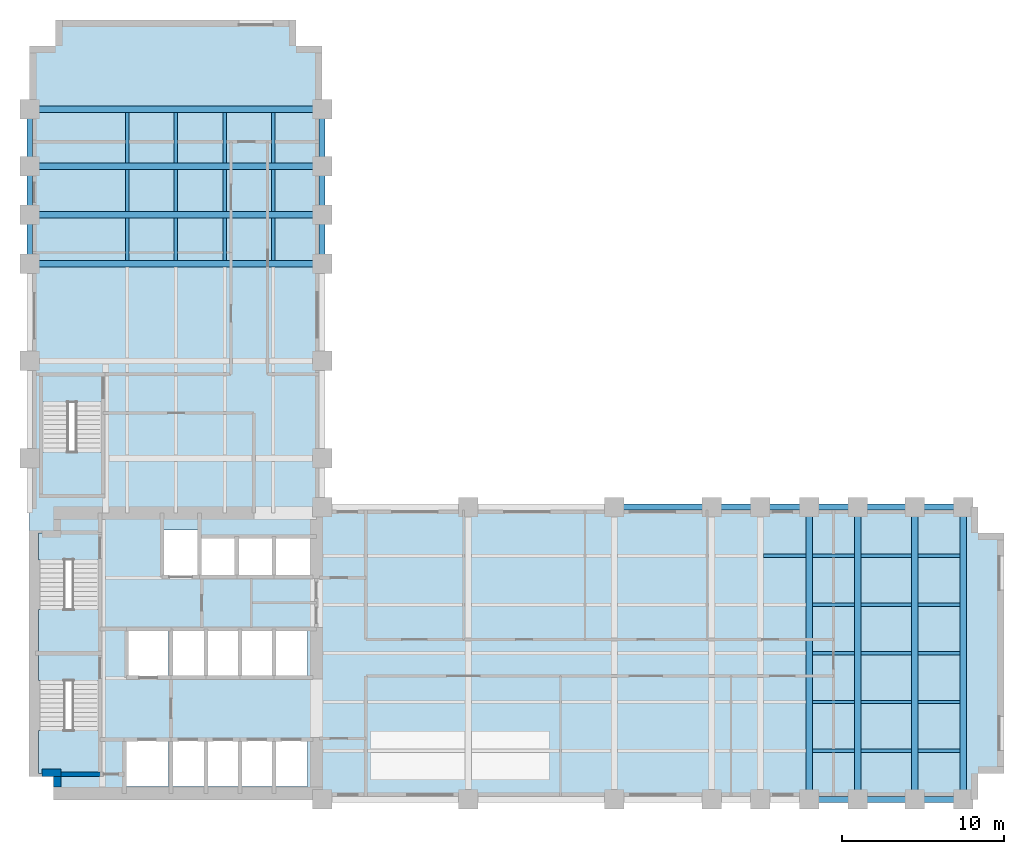
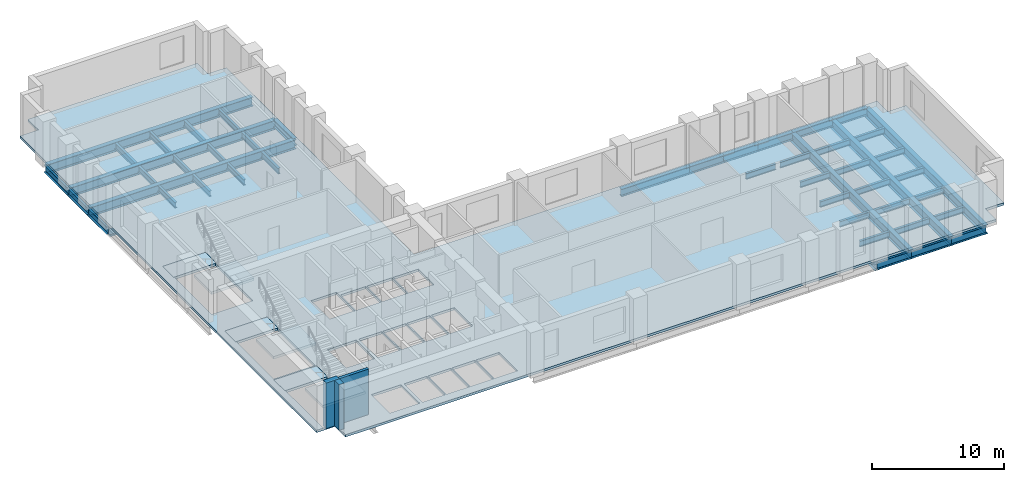
# One storey, part 2 of 7: 51 beams, 7 slabs, 3 walls, 3 elements without a shape of their own.
"""IFC4 building model written with IfcOpenShell, lengths in metres."""

import ifcopenshell
import ifcopenshell.guid

model = None  # the IFC model being written
_history = None  # IfcOwnerHistory: only IFC2X3 demands one
_inside = {}  # id of a spatial element -> (the spatial element, [elements in it])
_under = {}  # id of a project, library or spatial element -> (it, [spatial elements below it])
_declared = {}  # id of a project -> (the project, [libraries it declares])
_typed = {}  # id of a type object -> (the type object, [elements of that type])
_made_of = {}  # id of a material, layer set ... -> (it, [elements and type objects made of it])


def new_model(schema):
    """Start an empty IFC model of exactly this schema.

    Asked for "IFC4X3", IfcOpenShell would pick the latest addendum, in which some entities
    have other attributes; the version numbers below select the first issue.
    IFC2X3 requires an IfcOwnerHistory on every rooted entity: one is made here for all.
    """
    global model, _history
    if schema == "IFC4X3":
        model = ifcopenshell.file(schema_version=(4, 3, 0, 0))
    else:
        model = ifcopenshell.file(schema=schema)
    _inside.clear()
    _under.clear()
    _declared.clear()
    _typed.clear()
    _made_of.clear()
    _history = None
    if model.schema == "IFC2X3":
        org = make("IfcOrganization", Name="unknown")
        user = make(
            "IfcPersonAndOrganization",
            ThePerson=make("IfcPerson", FamilyName="unknown"),
            TheOrganization=org,
        )
        app = make(
            "IfcApplication",
            ApplicationDeveloper=org,
            Version="unknown",
            ApplicationFullName="unknown",
            ApplicationIdentifier="unknown",
        )
        _history = make(
            "IfcOwnerHistory",
            OwningUser=user,
            OwningApplication=app,
            ChangeAction="ADDED",
            CreationDate=0,
        )
    return model


def make(cls, **values):
    """One entity of the class cls with the attributes given. An attribute that is None is left unset."""
    return model.create_entity(
        cls, **{name: value for name, value in values.items() if value is not None}
    )


def rooted(cls, **values):
    """An entity with a GlobalId (a new one), such as an element, a storey or a relation."""
    return make(cls, GlobalId=ifcopenshell.guid.new(), OwnerHistory=_history, **values)


def si_unit(unit_type, name, prefix=None):
    """IfcSIUnit, for example si_unit("LENGTHUNIT", "METRE", prefix="MILLI")."""
    return make("IfcSIUnit", UnitType=unit_type, Prefix=prefix, Name=name)


def assignment(units):
    """IfcUnitAssignment: the units of a project."""
    return None if units is None else make("IfcUnitAssignment", Units=units)


def point(xyz):
    """IfcCartesianPoint."""
    return None if xyz is None else make("IfcCartesianPoint", Coordinates=xyz)


def direction(xyz):
    """IfcDirection."""
    return None if xyz is None else make("IfcDirection", DirectionRatios=xyz)


def frame(location, z_axis=None, x_axis=None):
    """IfcAxis2Placement3D, a coordinate frame: its origin and axes. An axis left out is left unset."""
    return make(
        "IfcAxis2Placement3D",
        Location=point(location),
        Axis=direction(z_axis),
        RefDirection=direction(x_axis),
    )


def frame_2d(location, x_axis=None):
    """IfcAxis2Placement2D, a coordinate frame in the plane: its origin and x axis."""
    return make(
        "IfcAxis2Placement2D", Location=point(location), RefDirection=direction(x_axis)
    )


def origin():
    """The frame at (0, 0, 0) with its axes left unset."""
    return frame((0.0, 0.0, 0.0))


def origin_2d():
    """The frame at (0, 0) in the plane with its x axis left unset."""
    return frame_2d((0.0, 0.0))


def place(relative_to, where):
    """IfcLocalPlacement: puts the frame where relative to a parent placement (None: the world)."""
    return make(
        "IfcLocalPlacement", PlacementRelTo=relative_to, RelativePlacement=where
    )


def context(
    kind, dimensions, precision=None, world=None, true_north=None, identifier=None
):
    """IfcGeometricRepresentationContext, for example the 3D "Model" context."""
    return make(
        "IfcGeometricRepresentationContext",
        ContextIdentifier=identifier,
        ContextType=kind,
        CoordinateSpaceDimension=dimensions,
        Precision=precision,
        WorldCoordinateSystem=world,
        TrueNorth=true_north,
    )


def subcontext(parent, identifier, kind, view, scale=None):
    """IfcGeometricRepresentationSubContext, for example "Body" below "Model"."""
    return make(
        "IfcGeometricRepresentationSubContext",
        ContextIdentifier=identifier,
        ContextType=kind,
        ParentContext=parent,
        TargetScale=scale,
        TargetView=view,
    )


def project(units=None, contexts=None):
    """IfcProject with its units and contexts."""
    return rooted(
        "IfcProject",
        Name="project",
        RepresentationContexts=contexts,
        UnitsInContext=assignment(units),
    )


def spatial(cls, under=None, at=None, **own):
    """A site, building, storey or space (cls), placed at a placement, below another one or the project."""
    s = rooted(cls, ObjectPlacement=at, **own)
    if under is not None:
        _under.setdefault(under.id(), (under, []))[1].append(s)
    return s


def polyline(points):
    """IfcPolyline through the points."""
    return make("IfcPolyline", Points=[point(p) for p in points])


def profile(cls, at=None, kind="AREA", **sizes):
    """A parametric profile (cls). Its sizes go by their IFC names, for example OverallWidth=200.0."""
    return make(cls, ProfileType=kind, Position=at, **sizes)


def rectangle(**sizes):
    """IfcRectangleProfileDef."""
    return profile("IfcRectangleProfileDef", **sizes)


def i_section(**sizes):
    """IfcIShapeProfileDef."""
    return profile("IfcIShapeProfileDef", **sizes)


def outline(outer, holes=None, kind="AREA"):
    """IfcArbitraryClosedProfileDef: a profile drawn as a closed curve; with holes, ...WithVoids."""
    if holes is None:
        return make("IfcArbitraryClosedProfileDef", ProfileType=kind, OuterCurve=outer)
    return make(
        "IfcArbitraryProfileDefWithVoids",
        ProfileType=kind,
        OuterCurve=outer,
        InnerCurves=holes,
    )


def extrude(swept, where, along, depth):
    """IfcExtrudedAreaSolid: the profile swept, set in the frame where, extruded along a direction by depth."""
    return make(
        "IfcExtrudedAreaSolid",
        SweptArea=swept,
        Position=where,
        ExtrudedDirection=direction(along),
        Depth=depth,
    )


def shape(context_of_items, identifier, shape_type, items):
    """IfcShapeRepresentation: the items that make up one representation, for example the "Body"."""
    return make(
        "IfcShapeRepresentation",
        ContextOfItems=context_of_items,
        RepresentationIdentifier=identifier,
        RepresentationType=shape_type,
        Items=items,
    )


def material(Name=None, Category=None):
    """IfcMaterial."""
    return make("IfcMaterial", Name=Name, Category=Category)


def layer(
    of_material, thickness, ventilated=None, Name=None, Category=None, Priority=None
):
    """IfcMaterialLayer: one layer of a wall or slab, of a material (None: an air gap)."""
    return make(
        "IfcMaterialLayer",
        Material=of_material,
        LayerThickness=thickness,
        IsVentilated=ventilated,
        Name=Name,
        Category=Category,
        Priority=Priority,
    )


def layer_set(layers, Name=None):
    """IfcMaterialLayerSet."""
    return make("IfcMaterialLayerSet", MaterialLayers=layers, LayerSetName=Name)


def material_profile(
    of_material, cross_section, Name=None, Category=None, Priority=None
):
    """IfcMaterialProfile: a cross section and its material."""
    return make(
        "IfcMaterialProfile",
        Name=Name,
        Material=of_material,
        Profile=cross_section,
        Priority=Priority,
        Category=Category,
    )


def profile_set(profiles, Name=None, composite=None):
    """IfcMaterialProfileSet."""
    return make(
        "IfcMaterialProfileSet",
        Name=Name,
        MaterialProfiles=profiles,
        CompositeProfile=composite,
    )


def made_of(thing, what):
    """Note that an element or type object is made of a material, layer set ...; save() writes the relation."""
    if what is not None:
        _made_of.setdefault(what.id(), (what, []))[1].append(thing)
    return thing


def type_object(cls, material=None, **own):
    """A type object (cls), such as IfcWallType, which elements share."""
    return made_of(rooted(cls, **own), material)


def element(
    cls,
    number,
    at=None,
    inside=None,
    cuts=None,
    type_object=None,
    material=None,
    context=None,
    identifier="Body",
    shape_type=None,
    held_by="IfcProductDefinitionShape",
    body=None,
    shapes=None,
    **own,
):
    """One element of the class cls, such as IfcWall. Its Tag is "e" and its number.

    at: its placement. inside: the storey or other place that contains it. cuts: it is an
    opening in that element (IfcRelVoidsElement). A single representation is given by context,
    identifier, shape_type and body (its items); several are given by shapes. held_by: the class
    of the entity that holds the representations. save() writes the other relations.
    """
    e = rooted(cls, Tag="e%d" % number, ObjectPlacement=at, **own)
    if body is not None:
        shapes = [shape(context, identifier, shape_type, body)]
    if shapes is not None:
        e.Representation = make(held_by, Representations=shapes)
    if inside is not None:
        _inside.setdefault(inside.id(), (inside, []))[1].append(e)
    if cuts is not None:
        rooted(
            "IfcRelVoidsElement", RelatingBuildingElement=cuts, RelatedOpeningElement=e
        )
    if type_object is not None:
        _typed.setdefault(type_object.id(), (type_object, []))[1].append(e)
    return made_of(e, material)


def aggregate(whole, parts):
    """IfcRelAggregates: a whole, such as a stair, and the parts it consists of."""
    return rooted("IfcRelAggregates", RelatingObject=whole, RelatedObjects=parts)


def save(model, path):
    """Write the relations noted so far, then the file.

    IfcRelAggregates (storeys below a building ...), IfcRelContainedInSpatialStructure (elements
    in a storey), IfcRelDefinesByType, IfcRelAssociatesMaterial and IfcRelDeclares: one each for
    every whole, place, type object, material and project.
    """
    for whole, parts in _under.values():
        aggregate(whole, parts)
    for where, things in _inside.values():
        rooted(
            "IfcRelContainedInSpatialStructure",
            RelatedElements=things,
            RelatingStructure=where,
        )
    for kind, things in _typed.values():
        rooted("IfcRelDefinesByType", RelatedObjects=things, RelatingType=kind)
    for what, things in _made_of.values():
        rooted("IfcRelAssociatesMaterial", RelatedObjects=things, RelatingMaterial=what)
    for by, libraries in _declared.values():
        rooted("IfcRelDeclares", RelatingContext=by, RelatedDefinitions=libraries)
    model.write(path)


model = new_model("IFC4")

# Units and contexts
model_context = context("Model", 3, precision=1e-05, world=origin(), true_north=direction((0.0, 1.0)))
body_context = subcontext(model_context, "Body", "Model", "MODEL_VIEW")
ifc_project = project(units=[si_unit("LENGTHUNIT", "METRE"), si_unit("AREAUNIT", "SQUARE_METRE"), si_unit("VOLUMEUNIT", "CUBIC_METRE"), si_unit("PLANEANGLEUNIT", "RADIAN"), si_unit("MASSUNIT", "GRAM", prefix="KILO")], contexts=[model_context])

# Site, building, storey
site_placement = place(None, origin())
site = spatial("IfcSite", under=ifc_project, at=site_placement, CompositionType="ELEMENT")
building_placement = place(site_placement, origin())
building = spatial("IfcBuilding", under=site, at=building_placement, Name="Mawjdan Bourse Tower", CompositionType="ELEMENT")
storey_placement = place(building_placement, frame((0.0, 0.0, 55.199951171875)))
storey = spatial("IfcBuildingStorey", under=building, at=storey_placement, Name="L12", CompositionType="ELEMENT", Elevation=55.199951171875)

# Beams
ifc_material_1 = material(Name="Structural Steel S355", Category="steel")
ifc_material_profile_1 = material_profile(ifc_material_1, i_section(OverallWidth=0.39892578125, OverallDepth=0.85595703125, WebThickness=0.018310546875, FlangeThickness=0.029296875, FilletRadius=0.0234375, at=origin_2d()), Name="W33X201")
ifc_profile_set_1 = profile_set([ifc_material_profile_1], Name="Structural Steel S355")
beam_type_1 = type_object("IfcBeamType", Name="GRD-W33X201", PredefinedType="BEAM", material=ifc_profile_set_1)
for number, where, z_axis, x_axis, name in (
    (1, (54.0, 3.0, -0.64794921875), (0.0, 1.0, 0.0), (-1.0, 0.0, 0.0), "L12 East Wing Clear-Span Girder 006"),
    (2, (57.0, 3.0, -0.64794921875), (0.0, 1.0, 0.0), (-1.0, 0.0, 0.0), "L12 East Wing Clear-Span Girder 007"),
    (3, (60.5, 3.0, -0.64794921875), (0.0, 1.0, 0.0), (-1.0, 0.0, 0.0), "L12 East Wing Clear-Span Girder 008"),
    (4, (63.5, 3.0, -0.64794921875), (0.0, 1.0, 0.0), (-1.0, 0.0, 0.0), "L12 East Wing Clear-Span Girder 009"),
    (5, (6.0, 36.0, -0.64794921875), (1.0, 0.0, 0.0), (0.0, 1.0, 0.0), "L12 North Wing Clear-Span Girder 073"),
    (6, (6.0, 39.0, -0.64794921875), (1.0, 0.0, 0.0), (0.0, 1.0, 0.0), "L12 North Wing Clear-Span Girder 074"),
    (7, (6.0, 42.0, -0.64794921875), (1.0, 0.0, 0.0), (0.0, 1.0, 0.0), "L12 North Wing Clear-Span Girder 075"),
    (8, (6.0, 45.5, -0.64794921875), (1.0, 0.0, 0.0), (0.0, 1.0, 0.0), "L12 North Wing Clear-Span Girder 076"),
):
    element("IfcBeam", number, at=place(storey_placement, frame(where, z_axis=z_axis, x_axis=x_axis)), inside=storey, type_object=beam_type_1, Name=name, PredefinedType="BEAM", context=body_context, shape_type="SweptSolid", body=[
        extrude(i_section(OverallWidth=0.39892578125, OverallDepth=0.85595703125, WebThickness=0.018310546875, FlangeThickness=0.029296875, FilletRadius=0.0234375, at=origin_2d()), origin(), (0.0, 0.0, 1.0), 18.0),
    ])
ifc_material_profile_2 = material_profile(ifc_material_1, i_section(OverallWidth=0.2119140625, OverallDepth=0.5439453125, WebThickness=0.01318359375, FlangeThickness=0.021240234375, FilletRadius=0.01708984375, at=origin_2d()), Name="W21X83")
ifc_profile_set_2 = profile_set([ifc_material_profile_2], Name="Structural Steel S355")
beam_type_2 = type_object("IfcBeamType", Name="JST-W21X83", PredefinedType="JOIST", material=ifc_profile_set_2)
beam_1_placement = place(storey_placement, frame((54.197509765625, 6.0, -0.491943359375), z_axis=(1.0, 0.0, 0.0), x_axis=(0.0, 1.0, 0.0)))
element("IfcBeam", 9, at=beam_1_placement, inside=storey, type_object=beam_type_2, Name="L12 East Wing Composite Joist 031", PredefinedType="JOIST", context=body_context, shape_type="SweptSolid", body=[
    extrude(i_section(OverallWidth=0.2119140625, OverallDepth=0.5439453125, WebThickness=0.01318359375, FlangeThickness=0.021240234375, FilletRadius=0.01708984375, at=origin_2d()), origin(), (0.0, 0.0, 1.0), 2.60498046875),
])
beam_2_placement = place(storey_placement, frame((57.197509765625, 6.0, -0.491943359375), z_axis=(1.0, 0.0, 0.0), x_axis=(0.0, 1.0, 0.0)))
element("IfcBeam", 10, at=beam_2_placement, inside=storey, type_object=beam_type_2, Name="L12 East Wing Composite Joist 032", PredefinedType="JOIST", context=body_context, shape_type="SweptSolid", body=[
    extrude(i_section(OverallWidth=0.2119140625, OverallDepth=0.5439453125, WebThickness=0.01318359375, FlangeThickness=0.021240234375, FilletRadius=0.01708984375, at=origin_2d()), origin(), (0.0, 0.0, 1.0), 3.10498046875),
])
for number, where, z_axis, x_axis, name in (
    (11, (60.697509765625, 6.0, -0.491943359375), (1.0, 0.0, 0.0), (0.0, 1.0, 0.0), "L12 East Wing Composite Joist 033"),
    (12, (54.197509765625, 9.0, -0.491943359375), (1.0, 0.0, 0.0), (0.0, 1.0, 0.0), "L12 East Wing Composite Joist 039"),
):
    element("IfcBeam", number, at=place(storey_placement, frame(where, z_axis=z_axis, x_axis=x_axis)), inside=storey, type_object=beam_type_2, Name=name, PredefinedType="JOIST", context=body_context, shape_type="SweptSolid", body=[
        extrude(i_section(OverallWidth=0.2119140625, OverallDepth=0.5439453125, WebThickness=0.01318359375, FlangeThickness=0.021240234375, FilletRadius=0.01708984375, at=origin_2d()), origin(), (0.0, 0.0, 1.0), 2.60498046875),
    ])
beam_3_placement = place(storey_placement, frame((57.197509765625, 9.0, -0.491943359375), z_axis=(1.0, 0.0, 0.0), x_axis=(0.0, 1.0, 0.0)))
element("IfcBeam", 13, at=beam_3_placement, inside=storey, type_object=beam_type_2, Name="L12 East Wing Composite Joist 040", PredefinedType="JOIST", context=body_context, shape_type="SweptSolid", body=[
    extrude(i_section(OverallWidth=0.2119140625, OverallDepth=0.5439453125, WebThickness=0.01318359375, FlangeThickness=0.021240234375, FilletRadius=0.01708984375, at=origin_2d()), origin(), (0.0, 0.0, 1.0), 3.10498046875),
])
for number, where, z_axis, x_axis, name in (
    (14, (60.697509765625, 9.0, -0.491943359375), (1.0, 0.0, 0.0), (0.0, 1.0, 0.0), "L12 East Wing Composite Joist 041"),
    (15, (54.197509765625, 12.0, -0.491943359375), (1.0, 0.0, 0.0), (0.0, 1.0, 0.0), "L12 East Wing Composite Joist 047"),
):
    element("IfcBeam", number, at=place(storey_placement, frame(where, z_axis=z_axis, x_axis=x_axis)), inside=storey, type_object=beam_type_2, Name=name, PredefinedType="JOIST", context=body_context, shape_type="SweptSolid", body=[
        extrude(i_section(OverallWidth=0.2119140625, OverallDepth=0.5439453125, WebThickness=0.01318359375, FlangeThickness=0.021240234375, FilletRadius=0.01708984375, at=origin_2d()), origin(), (0.0, 0.0, 1.0), 2.60498046875),
    ])
beam_4_placement = place(storey_placement, frame((57.197509765625, 12.0, -0.491943359375), z_axis=(1.0, 0.0, 0.0), x_axis=(0.0, 1.0, 0.0)))
element("IfcBeam", 16, at=beam_4_placement, inside=storey, type_object=beam_type_2, Name="L12 East Wing Composite Joist 048", PredefinedType="JOIST", context=body_context, shape_type="SweptSolid", body=[
    extrude(i_section(OverallWidth=0.2119140625, OverallDepth=0.5439453125, WebThickness=0.01318359375, FlangeThickness=0.021240234375, FilletRadius=0.01708984375, at=origin_2d()), origin(), (0.0, 0.0, 1.0), 3.10498046875),
])
for number, where, z_axis, x_axis, name in (
    (17, (60.697509765625, 12.0, -0.491943359375), (1.0, 0.0, 0.0), (0.0, 1.0, 0.0), "L12 East Wing Composite Joist 049"),
    (18, (54.197509765625, 15.0, -0.491943359375), (1.0, 0.0, 0.0), (0.0, 1.0, 0.0), "L12 East Wing Composite Joist 055"),
):
    element("IfcBeam", number, at=place(storey_placement, frame(where, z_axis=z_axis, x_axis=x_axis)), inside=storey, type_object=beam_type_2, Name=name, PredefinedType="JOIST", context=body_context, shape_type="SweptSolid", body=[
        extrude(i_section(OverallWidth=0.2119140625, OverallDepth=0.5439453125, WebThickness=0.01318359375, FlangeThickness=0.021240234375, FilletRadius=0.01708984375, at=origin_2d()), origin(), (0.0, 0.0, 1.0), 2.60498046875),
    ])
beam_5_placement = place(storey_placement, frame((57.197509765625, 15.0, -0.491943359375), z_axis=(1.0, 0.0, 0.0), x_axis=(0.0, 1.0, 0.0)))
element("IfcBeam", 19, at=beam_5_placement, inside=storey, type_object=beam_type_2, Name="L12 East Wing Composite Joist 056", PredefinedType="JOIST", context=body_context, shape_type="SweptSolid", body=[
    extrude(i_section(OverallWidth=0.2119140625, OverallDepth=0.5439453125, WebThickness=0.01318359375, FlangeThickness=0.021240234375, FilletRadius=0.01708984375, at=origin_2d()), origin(), (0.0, 0.0, 1.0), 3.10498046875),
])
for number, where, z_axis, x_axis, name in (
    (20, (60.697509765625, 15.0, -0.491943359375), (1.0, 0.0, 0.0), (0.0, 1.0, 0.0), "L12 East Wing Composite Joist 057"),
    (21, (51.197509765625, 18.0, -0.491943359375), (1.0, 0.0, 0.0), (0.0, 1.0, 0.0), "L12 East Wing Composite Joist 062"),
    (22, (54.197509765625, 18.0, -0.491943359375), (1.0, 0.0, 0.0), (0.0, 1.0, 0.0), "L12 East Wing Composite Joist 063"),
):
    element("IfcBeam", number, at=place(storey_placement, frame(where, z_axis=z_axis, x_axis=x_axis)), inside=storey, type_object=beam_type_2, Name=name, PredefinedType="JOIST", context=body_context, shape_type="SweptSolid", body=[
        extrude(i_section(OverallWidth=0.2119140625, OverallDepth=0.5439453125, WebThickness=0.01318359375, FlangeThickness=0.021240234375, FilletRadius=0.01708984375, at=origin_2d()), origin(), (0.0, 0.0, 1.0), 2.60498046875),
    ])
beam_6_placement = place(storey_placement, frame((57.197509765625, 18.0, -0.491943359375), z_axis=(1.0, 0.0, 0.0), x_axis=(0.0, 1.0, 0.0)))
element("IfcBeam", 23, at=beam_6_placement, inside=storey, type_object=beam_type_2, Name="L12 East Wing Composite Joist 064", PredefinedType="JOIST", context=body_context, shape_type="SweptSolid", body=[
    extrude(i_section(OverallWidth=0.2119140625, OverallDepth=0.5439453125, WebThickness=0.01318359375, FlangeThickness=0.021240234375, FilletRadius=0.01708984375, at=origin_2d()), origin(), (0.0, 0.0, 1.0), 3.10498046875),
])
for number, where, z_axis, x_axis, name in (
    (24, (60.697509765625, 18.0, -0.491943359375), (1.0, 0.0, 0.0), (0.0, 1.0, 0.0), "L12 East Wing Composite Joist 065"),
    (25, (12.0, 36.197509765625, -0.491943359375), (0.0, 1.0, 0.0), (-1.0, 0.0, 0.0), "L12 North Wing Composite Joist 092"),
    (26, (12.0, 39.197509765625, -0.491943359375), (0.0, 1.0, 0.0), (-1.0, 0.0, 0.0), "L12 North Wing Composite Joist 093"),
):
    element("IfcBeam", number, at=place(storey_placement, frame(where, z_axis=z_axis, x_axis=x_axis)), inside=storey, type_object=beam_type_2, Name=name, PredefinedType="JOIST", context=body_context, shape_type="SweptSolid", body=[
        extrude(i_section(OverallWidth=0.2119140625, OverallDepth=0.5439453125, WebThickness=0.01318359375, FlangeThickness=0.021240234375, FilletRadius=0.01708984375, at=origin_2d()), origin(), (0.0, 0.0, 1.0), 2.60498046875),
    ])
beam_7_placement = place(storey_placement, frame((12.0, 42.197509765625, -0.491943359375), z_axis=(0.0, 1.0, 0.0), x_axis=(-1.0, 0.0, 0.0)))
element("IfcBeam", 27, at=beam_7_placement, inside=storey, type_object=beam_type_2, Name="L12 North Wing Composite Joist 094", PredefinedType="JOIST", context=body_context, shape_type="SweptSolid", body=[
    extrude(i_section(OverallWidth=0.2119140625, OverallDepth=0.5439453125, WebThickness=0.01318359375, FlangeThickness=0.021240234375, FilletRadius=0.01708984375, at=origin_2d()), origin(), (0.0, 0.0, 1.0), 3.10498046875),
])
for number, where, z_axis, x_axis, name in (
    (28, (15.0, 36.197509765625, -0.491943359375), (0.0, 1.0, 0.0), (-1.0, 0.0, 0.0), "L12 North Wing Composite Joist 098"),
    (29, (15.0, 39.197509765625, -0.491943359375), (0.0, 1.0, 0.0), (-1.0, 0.0, 0.0), "L12 North Wing Composite Joist 099"),
):
    element("IfcBeam", number, at=place(storey_placement, frame(where, z_axis=z_axis, x_axis=x_axis)), inside=storey, type_object=beam_type_2, Name=name, PredefinedType="JOIST", context=body_context, shape_type="SweptSolid", body=[
        extrude(i_section(OverallWidth=0.2119140625, OverallDepth=0.5439453125, WebThickness=0.01318359375, FlangeThickness=0.021240234375, FilletRadius=0.01708984375, at=origin_2d()), origin(), (0.0, 0.0, 1.0), 2.60498046875),
    ])
beam_8_placement = place(storey_placement, frame((15.0, 42.197509765625, -0.491943359375), z_axis=(0.0, 1.0, 0.0), x_axis=(-1.0, 0.0, 0.0)))
element("IfcBeam", 30, at=beam_8_placement, inside=storey, type_object=beam_type_2, Name="L12 North Wing Composite Joist 100", PredefinedType="JOIST", context=body_context, shape_type="SweptSolid", body=[
    extrude(i_section(OverallWidth=0.2119140625, OverallDepth=0.5439453125, WebThickness=0.01318359375, FlangeThickness=0.021240234375, FilletRadius=0.01708984375, at=origin_2d()), origin(), (0.0, 0.0, 1.0), 3.10498046875),
])
for number, where, z_axis, x_axis, name in (
    (31, (18.0, 36.197509765625, -0.491943359375), (0.0, 1.0, 0.0), (-1.0, 0.0, 0.0), "L12 North Wing Composite Joist 104"),
    (32, (18.0, 39.197509765625, -0.491943359375), (0.0, 1.0, 0.0), (-1.0, 0.0, 0.0), "L12 North Wing Composite Joist 105"),
):
    element("IfcBeam", number, at=place(storey_placement, frame(where, z_axis=z_axis, x_axis=x_axis)), inside=storey, type_object=beam_type_2, Name=name, PredefinedType="JOIST", context=body_context, shape_type="SweptSolid", body=[
        extrude(i_section(OverallWidth=0.2119140625, OverallDepth=0.5439453125, WebThickness=0.01318359375, FlangeThickness=0.021240234375, FilletRadius=0.01708984375, at=origin_2d()), origin(), (0.0, 0.0, 1.0), 2.60498046875),
    ])
beam_9_placement = place(storey_placement, frame((18.0, 42.197509765625, -0.491943359375), z_axis=(0.0, 1.0, 0.0), x_axis=(-1.0, 0.0, 0.0)))
element("IfcBeam", 33, at=beam_9_placement, inside=storey, type_object=beam_type_2, Name="L12 North Wing Composite Joist 106", PredefinedType="JOIST", context=body_context, shape_type="SweptSolid", body=[
    extrude(i_section(OverallWidth=0.2119140625, OverallDepth=0.5439453125, WebThickness=0.01318359375, FlangeThickness=0.021240234375, FilletRadius=0.01708984375, at=origin_2d()), origin(), (0.0, 0.0, 1.0), 3.10498046875),
])
for number, where, z_axis, x_axis, name in (
    (34, (21.0, 36.197509765625, -0.491943359375), (0.0, 1.0, 0.0), (-1.0, 0.0, 0.0), "L12 North Wing Composite Joist 110"),
    (35, (21.0, 39.197509765625, -0.491943359375), (0.0, 1.0, 0.0), (-1.0, 0.0, 0.0), "L12 North Wing Composite Joist 111"),
):
    element("IfcBeam", number, at=place(storey_placement, frame(where, z_axis=z_axis, x_axis=x_axis)), inside=storey, type_object=beam_type_2, Name=name, PredefinedType="JOIST", context=body_context, shape_type="SweptSolid", body=[
        extrude(i_section(OverallWidth=0.2119140625, OverallDepth=0.5439453125, WebThickness=0.01318359375, FlangeThickness=0.021240234375, FilletRadius=0.01708984375, at=origin_2d()), origin(), (0.0, 0.0, 1.0), 2.60498046875),
    ])
beam_10_placement = place(storey_placement, frame((21.0, 42.197509765625, -0.491943359375), z_axis=(0.0, 1.0, 0.0), x_axis=(-1.0, 0.0, 0.0)))
element("IfcBeam", 36, at=beam_10_placement, inside=storey, type_object=beam_type_2, Name="L12 North Wing Composite Joist 112", PredefinedType="JOIST", context=body_context, shape_type="SweptSolid", body=[
    extrude(i_section(OverallWidth=0.2119140625, OverallDepth=0.5439453125, WebThickness=0.01318359375, FlangeThickness=0.021240234375, FilletRadius=0.01708984375, at=origin_2d()), origin(), (0.0, 0.0, 1.0), 3.10498046875),
])
ifc_material_profile_3 = material_profile(ifc_material_1, i_section(OverallWidth=0.35498046875, OverallDepth=0.696044921875, WebThickness=0.015380859375, FlangeThickness=0.02490234375, FilletRadius=0.019775390625, at=origin_2d()), Name="W27X146")
ifc_profile_set_3 = profile_set([ifc_material_profile_3], Name="Structural Steel S355")
beam_type_3 = type_object("IfcBeamType", Name="SPN-W27X146", PredefinedType="SPANDREL", material=ifc_profile_set_3)
beam_11_placement = place(storey_placement, frame((54.0, 3.0, -0.56787109375), z_axis=(1.0, 0.0, 0.0), x_axis=(0.0, 1.0, 0.0)))
element("IfcBeam", 37, at=beam_11_placement, inside=storey, type_object=beam_type_3, Name="L12 Perimeter Masonry-Shelf Spandrel 015", PredefinedType="SPANDREL", context=body_context, shape_type="SweptSolid", body=[
    extrude(i_section(OverallWidth=0.35498046875, OverallDepth=0.696044921875, WebThickness=0.015380859375, FlangeThickness=0.02490234375, FilletRadius=0.019775390625, at=origin_2d()), origin(), (0.0, 0.0, 1.0), 3.0),
])
beam_12_placement = place(storey_placement, frame((57.0, 3.0, -0.56787109375), z_axis=(1.0, 0.0, 0.0), x_axis=(0.0, 1.0, 0.0)))
element("IfcBeam", 38, at=beam_12_placement, inside=storey, type_object=beam_type_3, Name="L12 Perimeter Masonry-Shelf Spandrel 016", PredefinedType="SPANDREL", context=body_context, shape_type="SweptSolid", body=[
    extrude(i_section(OverallWidth=0.35498046875, OverallDepth=0.696044921875, WebThickness=0.015380859375, FlangeThickness=0.02490234375, FilletRadius=0.019775390625, at=origin_2d()), origin(), (0.0, 0.0, 1.0), 3.5),
])
beam_13_placement = place(storey_placement, frame((60.5, 3.0, -0.56787109375), z_axis=(1.0, 0.0, 0.0), x_axis=(0.0, 1.0, 0.0)))
element("IfcBeam", 39, at=beam_13_placement, inside=storey, type_object=beam_type_3, Name="L12 Perimeter Masonry-Shelf Spandrel 017", PredefinedType="SPANDREL", context=body_context, shape_type="SweptSolid", body=[
    extrude(i_section(OverallWidth=0.35498046875, OverallDepth=0.696044921875, WebThickness=0.015380859375, FlangeThickness=0.02490234375, FilletRadius=0.019775390625, at=origin_2d()), origin(), (0.0, 0.0, 1.0), 3.0),
])
beam_14_placement = place(storey_placement, frame((42.0, 21.0, -0.56787109375), z_axis=(1.0, 0.0, 0.0), x_axis=(0.0, 1.0, 0.0)))
element("IfcBeam", 40, at=beam_14_placement, inside=storey, type_object=beam_type_3, Name="L12 Perimeter Masonry-Shelf Spandrel 020", PredefinedType="SPANDREL", context=body_context, shape_type="SweptSolid", body=[
    extrude(i_section(OverallWidth=0.35498046875, OverallDepth=0.696044921875, WebThickness=0.015380859375, FlangeThickness=0.02490234375, FilletRadius=0.019775390625, at=origin_2d()), origin(), (0.0, 0.0, 1.0), 6.0),
])
for number, where, z_axis, x_axis, name in (
    (41, (48.0, 21.0, -0.56787109375), (1.0, 0.0, 0.0), (0.0, 1.0, 0.0), "L12 Perimeter Masonry-Shelf Spandrel 021"),
    (42, (51.0, 21.0, -0.56787109375), (1.0, 0.0, 0.0), (0.0, 1.0, 0.0), "L12 Perimeter Masonry-Shelf Spandrel 022"),
    (43, (54.0, 21.0, -0.56787109375), (1.0, 0.0, 0.0), (0.0, 1.0, 0.0), "L12 Perimeter Masonry-Shelf Spandrel 023"),
):
    element("IfcBeam", number, at=place(storey_placement, frame(where, z_axis=z_axis, x_axis=x_axis)), inside=storey, type_object=beam_type_3, Name=name, PredefinedType="SPANDREL", context=body_context, shape_type="SweptSolid", body=[
        extrude(i_section(OverallWidth=0.35498046875, OverallDepth=0.696044921875, WebThickness=0.015380859375, FlangeThickness=0.02490234375, FilletRadius=0.019775390625, at=origin_2d()), origin(), (0.0, 0.0, 1.0), 3.0),
    ])
beam_15_placement = place(storey_placement, frame((57.0, 21.0, -0.56787109375), z_axis=(1.0, 0.0, 0.0), x_axis=(0.0, 1.0, 0.0)))
element("IfcBeam", 44, at=beam_15_placement, inside=storey, type_object=beam_type_3, Name="L12 Perimeter Masonry-Shelf Spandrel 024", PredefinedType="SPANDREL", context=body_context, shape_type="SweptSolid", body=[
    extrude(i_section(OverallWidth=0.35498046875, OverallDepth=0.696044921875, WebThickness=0.015380859375, FlangeThickness=0.02490234375, FilletRadius=0.019775390625, at=origin_2d()), origin(), (0.0, 0.0, 1.0), 3.5),
])
for number, where, z_axis, x_axis, name in (
    (45, (60.5, 21.0, -0.56787109375), (1.0, 0.0, 0.0), (0.0, 1.0, 0.0), "L12 Perimeter Masonry-Shelf Spandrel 025"),
    (46, (6.0, 36.0, -0.56787109375), (0.0, 1.0, 0.0), (-1.0, 0.0, 0.0), "L12 North Wing Spandrel 080"),
    (47, (6.0, 39.0, -0.56787109375), (0.0, 1.0, 0.0), (-1.0, 0.0, 0.0), "L12 North Wing Spandrel 081"),
):
    element("IfcBeam", number, at=place(storey_placement, frame(where, z_axis=z_axis, x_axis=x_axis)), inside=storey, type_object=beam_type_3, Name=name, PredefinedType="SPANDREL", context=body_context, shape_type="SweptSolid", body=[
        extrude(i_section(OverallWidth=0.35498046875, OverallDepth=0.696044921875, WebThickness=0.015380859375, FlangeThickness=0.02490234375, FilletRadius=0.019775390625, at=origin_2d()), origin(), (0.0, 0.0, 1.0), 3.0),
    ])
beam_16_placement = place(storey_placement, frame((6.0, 42.0, -0.56787109375), z_axis=(0.0, 1.0, 0.0), x_axis=(-1.0, 0.0, 0.0)))
element("IfcBeam", 48, at=beam_16_placement, inside=storey, type_object=beam_type_3, Name="L12 North Wing Spandrel 082", PredefinedType="SPANDREL", context=body_context, shape_type="SweptSolid", body=[
    extrude(i_section(OverallWidth=0.35498046875, OverallDepth=0.696044921875, WebThickness=0.015380859375, FlangeThickness=0.02490234375, FilletRadius=0.019775390625, at=origin_2d()), origin(), (0.0, 0.0, 1.0), 3.5),
])
for number, where, z_axis, x_axis, name in (
    (49, (24.0, 36.0, -0.56787109375), (0.0, 1.0, 0.0), (-1.0, 0.0, 0.0), "L12 North Wing Spandrel 086"),
    (50, (24.0, 39.0, -0.56787109375), (0.0, 1.0, 0.0), (-1.0, 0.0, 0.0), "L12 North Wing Spandrel 087"),
):
    element("IfcBeam", number, at=place(storey_placement, frame(where, z_axis=z_axis, x_axis=x_axis)), inside=storey, type_object=beam_type_3, Name=name, PredefinedType="SPANDREL", context=body_context, shape_type="SweptSolid", body=[
        extrude(i_section(OverallWidth=0.35498046875, OverallDepth=0.696044921875, WebThickness=0.015380859375, FlangeThickness=0.02490234375, FilletRadius=0.019775390625, at=origin_2d()), origin(), (0.0, 0.0, 1.0), 3.0),
    ])
beam_17_placement = place(storey_placement, frame((24.0, 42.0, -0.56787109375), z_axis=(0.0, 1.0, 0.0), x_axis=(-1.0, 0.0, 0.0)))
element("IfcBeam", 51, at=beam_17_placement, inside=storey, type_object=beam_type_3, Name="L12 North Wing Spandrel 088", PredefinedType="SPANDREL", context=body_context, shape_type="SweptSolid", body=[
    extrude(i_section(OverallWidth=0.35498046875, OverallDepth=0.696044921875, WebThickness=0.015380859375, FlangeThickness=0.02490234375, FilletRadius=0.019775390625, at=origin_2d()), origin(), (0.0, 0.0, 1.0), 3.5),
])

# Stair, slabs
ifc_material_2 = material(Name="Concrete C50/60", Category="concrete")
stair_type = type_object("IfcStairType", Name="STR-CORE-1500", PredefinedType="HALF_TURN_STAIR", material=ifc_material_2)
stair_1_placement = place(storey_placement, origin())
stair_1 = element("IfcStair", 52, at=stair_1_placement, inside=storey, type_object=stair_type, Name="L12 Exit Stair 1 (Core South-West)", PredefinedType="HALF_TURN_STAIR")
ifc_layer_1 = layer(ifc_material_2, 0.22998046875)
ifc_layer_set_1 = layer_set([ifc_layer_1], Name="Concrete C50/60")
slab_type_1 = type_object("IfcSlabType", Name="SL-LND-230", PredefinedType="LANDING", material=ifc_layer_set_1)
slab_1_placement = place(storey_placement, frame((0.0, 0.0, -0.22998046875)))
slab_1 = element("IfcSlab", 53, at=slab_1_placement, type_object=slab_type_1, Name="ST1-L12 landing 1", PredefinedType="LANDING", context=body_context, shape_type="SweptSolid", body=[
    extrude(outline(polyline([(6.5400390625, 10.31005859375), (10.260009765625, 10.31005859375), (10.260009765625, 11.969970703125), (6.5400390625, 11.969970703125), (6.5400390625, 10.31005859375)])), origin(), (0.0, 0.0, 1.0), 0.22998046875),
])
slab_2_placement = place(storey_placement, frame((0.0, 0.0, 1.8701171875)))
slab_2 = element("IfcSlab", 54, at=slab_2_placement, type_object=slab_type_1, Name="ST1-L12 landing 2", PredefinedType="LANDING", context=body_context, shape_type="SweptSolid", body=[
    extrude(outline(polyline([(6.5400390625, 4.590087890625), (10.260009765625, 4.590087890625), (10.260009765625, 7.2548828125), (6.5400390625, 7.2548828125), (6.5400390625, 4.590087890625)])), origin(), (0.0, 0.0, 1.0), 0.22998046875),
])
aggregate(stair_1, [slab_1, slab_2])

stair_2_placement = place(storey_placement, origin())
stair_2 = element("IfcStair", 55, at=stair_2_placement, inside=storey, type_object=stair_type, Name="L12 Exit Stair 2 (Core North-West)", PredefinedType="HALF_TURN_STAIR")
slab_3_placement = place(storey_placement, frame((0.0, 0.0, -0.22998046875)))
slab_3 = element("IfcSlab", 56, at=slab_3_placement, type_object=slab_type_1, Name="ST2-L12 landing 1", PredefinedType="LANDING", context=body_context, shape_type="SweptSolid", body=[
    extrude(outline(polyline([(6.5400390625, 17.75), (10.260009765625, 17.75), (10.260009765625, 19.409912109375), (6.5400390625, 19.409912109375), (6.5400390625, 17.75)])), origin(), (0.0, 0.0, 1.0), 0.22998046875),
])
slab_4_placement = place(storey_placement, frame((0.0, 0.0, 1.8701171875)))
slab_4 = element("IfcSlab", 57, at=slab_4_placement, type_object=slab_type_1, Name="ST2-L12 landing 2", PredefinedType="LANDING", context=body_context, shape_type="SweptSolid", body=[
    extrude(outline(polyline([(6.5400390625, 12.030029296875), (10.260009765625, 12.030029296875), (10.260009765625, 14.695068359375), (6.5400390625, 14.695068359375), (6.5400390625, 12.030029296875)])), origin(), (0.0, 0.0, 1.0), 0.22998046875),
])
aggregate(stair_2, [slab_3, slab_4])

stair_3_placement = place(storey_placement, origin())
stair_3 = element("IfcStair", 58, at=stair_3_placement, inside=storey, type_object=stair_type, Name="L12 Exit Stair 3 (North Wing)", PredefinedType="HALF_TURN_STAIR")
slab_5_placement = place(storey_placement, frame((0.0, 0.0, -0.22998046875)))
slab_5 = element("IfcSlab", 59, at=slab_5_placement, type_object=slab_type_1, Name="ST3-L12 landing 1", PredefinedType="LANDING", context=body_context, shape_type="SweptSolid", body=[
    extrude(outline(polyline([(6.739990234375, 27.4599609375), (10.4599609375, 27.4599609375), (10.4599609375, 29.1201171875), (6.739990234375, 29.1201171875), (6.739990234375, 27.4599609375)])), origin(), (0.0, 0.0, 1.0), 0.22998046875),
])
slab_6_placement = place(storey_placement, frame((0.0, 0.0, 1.8701171875)))
slab_6 = element("IfcSlab", 60, at=slab_6_placement, type_object=slab_type_1, Name="ST3-L12 landing 2", PredefinedType="LANDING", context=body_context, shape_type="SweptSolid", body=[
    extrude(outline(polyline([(6.739990234375, 21.739990234375), (10.4599609375, 21.739990234375), (10.4599609375, 24.405029296875), (6.739990234375, 24.405029296875), (6.739990234375, 21.739990234375)])), origin(), (0.0, 0.0, 1.0), 0.22998046875),
])
aggregate(stair_3, [slab_5, slab_6])

# Slab
ifc_layer_2 = layer(ifc_material_2, 0.219970703125)
ifc_layer_set_2 = layer_set([ifc_layer_2], Name="Concrete C50/60")
slab_type_2 = type_object("IfcSlabType", Name="SL-TRD-220", PredefinedType="FLOOR", material=ifc_layer_set_2)
slab_7_placement = place(storey_placement, frame((0.0, 0.0, -0.219970703125)))
element("IfcSlab", 61, at=slab_7_placement, inside=storey, type_object=slab_type_2, Name="L12 Structural Floor Slab 1", PredefinedType="FLOOR", context=body_context, shape_type="SweptSolid", body=[
    extrude(outline(polyline([(7.60009765625, 3.0), (64.39990234375, 3.0), (64.39990234375, 4.60009765625), (66.0, 4.60009765625), (66.0, 19.39990234375), (64.39990234375, 19.39990234375), (64.39990234375, 21.0), (24.0, 21.0), (24.0, 49.39990234375), (22.39990234375, 49.39990234375), (22.39990234375, 51.0), (7.60009765625, 51.0), (7.60009765625, 49.39990234375), (6.0, 49.39990234375), (6.0, 4.60009765625), (7.60009765625, 4.60009765625), (7.60009765625, 3.0)]), holes=[polyline([(11.949951171875, 3.800048828125), (11.949951171875, 6.60009765625), (14.550048828125, 6.60009765625), (14.550048828125, 3.800048828125), (11.949951171875, 3.800048828125)]), polyline([(14.800048828125, 3.800048828125), (14.800048828125, 6.60009765625), (16.800048828125, 6.60009765625), (16.800048828125, 3.800048828125), (14.800048828125, 3.800048828125)]), polyline([(10.260009765625, 11.969970703125), (10.260009765625, 10.31005859375), (10.199951171875, 10.31005859375), (10.199951171875, 4.64990234375), (6.60009765625, 4.64990234375), (6.60009765625, 10.31005859375), (6.5400390625, 10.31005859375), (6.5400390625, 11.969970703125), (10.260009765625, 11.969970703125)]), polyline([(12.050048828125, 13.39990234375), (14.550048828125, 13.39990234375), (14.550048828125, 10.60009765625), (12.050048828125, 10.60009765625), (12.050048828125, 13.39990234375)]), polyline([(6.60009765625, 17.75), (6.5400390625, 17.75), (6.5400390625, 19.409912109375), (10.260009765625, 19.409912109375), (10.260009765625, 17.75), (10.199951171875, 17.75), (10.199951171875, 12.090087890625), (6.60009765625, 12.090087890625), (6.60009765625, 17.75)]), polyline([(14.199951171875, 16.800048828125), (14.199951171875, 19.60009765625), (16.39990234375, 19.60009765625), (16.39990234375, 16.800048828125), (14.199951171875, 16.800048828125)]), polyline([(10.4599609375, 27.4599609375), (10.39990234375, 27.4599609375), (10.39990234375, 21.800048828125), (6.800048828125, 21.800048828125), (6.800048828125, 27.4599609375), (6.739990234375, 27.4599609375), (6.739990234375, 29.1201171875), (10.4599609375, 29.1201171875), (10.4599609375, 27.4599609375)]), polyline([(16.89990234375, 3.800048828125), (16.89990234375, 6.60009765625), (18.89990234375, 6.60009765625), (18.89990234375, 3.800048828125), (16.89990234375, 3.800048828125)]), polyline([(19.0, 3.800048828125), (19.0, 6.60009765625), (21.0, 6.60009765625), (21.0, 3.800048828125), (19.0, 3.800048828125)]), polyline([(21.10009765625, 3.800048828125), (21.10009765625, 6.60009765625), (23.10009765625, 6.60009765625), (23.10009765625, 3.800048828125), (21.10009765625, 3.800048828125)]), polyline([(14.800048828125, 13.39990234375), (16.800048828125, 13.39990234375), (16.800048828125, 10.60009765625), (14.800048828125, 10.60009765625), (14.800048828125, 13.39990234375)]), polyline([(16.89990234375, 13.39990234375), (18.89990234375, 13.39990234375), (18.89990234375, 10.60009765625), (16.89990234375, 10.60009765625), (16.89990234375, 13.39990234375)]), polyline([(19.0, 10.60009765625), (19.0, 13.39990234375), (21.0, 13.39990234375), (21.0, 10.60009765625), (19.0, 10.60009765625)]), polyline([(21.10009765625, 10.60009765625), (21.10009765625, 13.39990234375), (23.10009765625, 13.39990234375), (23.10009765625, 10.60009765625), (21.10009765625, 10.60009765625)]), polyline([(16.5, 16.800048828125), (16.5, 19.14990234375), (18.699951171875, 19.14990234375), (18.699951171875, 16.800048828125), (16.5, 16.800048828125)]), polyline([(18.800048828125, 19.14990234375), (21.0, 19.14990234375), (21.0, 16.800048828125), (18.800048828125, 16.800048828125), (18.800048828125, 19.14990234375)]), polyline([(21.10009765625, 19.14990234375), (23.300048828125, 19.14990234375), (23.300048828125, 16.800048828125), (21.10009765625, 16.800048828125), (21.10009765625, 19.14990234375)])]), origin(), (0.0, 0.0, 1.0), 0.219970703125),
])

# Walls
ifc_material_3 = material(Name="Concrete C60/75", Category="concrete")
ifc_layer_3 = layer(ifc_material_3, 0.449951171875)
ifc_layer_set_3 = layer_set([ifc_layer_3], Name="Concrete C60/75")
wall_type_1 = type_object("IfcWallType", Name="WL-CORE-450", PredefinedType="SHEAR", material=ifc_layer_set_3)
wall_1_placement = place(storey_placement, frame((6.75, 4.64990234375, 0.0), z_axis=(0.0, 0.0, 1.0), x_axis=(1.0, 0.0, 0.0)))
element("IfcWall", 62, at=wall_1_placement, inside=storey, type_object=wall_type_1, Name="L12 Rear Core Shear Wall SW-X", PredefinedType="SHEAR", context=body_context, shape_type="SweptSolid", body=[
    extrude(rectangle(XDim=1.175048828125, YDim=0.449951171875, at=frame_2d((0.58740234375, 0.0))), origin(), (0.0, 0.0, 1.0), 4.199951171875),
])
wall_2_placement = place(storey_placement, frame((7.699951171875, 3.75, 0.0), z_axis=(0.0, 0.0, 1.0), x_axis=(0.0, 1.0, 0.0)))
element("IfcWall", 63, at=wall_2_placement, inside=storey, type_object=wall_type_1, Name="L12 Rear Core Shear Wall SW-Y", PredefinedType="SHEAR", context=body_context, shape_type="SweptSolid", body=[
    extrude(rectangle(XDim=0.675048828125, YDim=0.449951171875, at=frame_2d((0.33740234375, 0.0))), origin(), (0.0, 0.0, 1.0), 4.199951171875),
])
ifc_layer_4 = layer(ifc_material_2, 0.25)
ifc_layer_set_4 = layer_set([ifc_layer_4], Name="Concrete C50/60")
wall_type_2 = type_object("IfcWallType", Name="WL-STRW-250", PredefinedType="SHEAR", material=ifc_layer_set_4)
wall_3_placement = place(storey_placement, frame((7.699951171875, 4.550048828125, 0.0), z_axis=(0.0, 0.0, 1.0), x_axis=(1.0, 0.0, 0.0)))
element("IfcWall", 64, at=wall_3_placement, inside=storey, type_object=wall_type_2, Name="L12 Stairwell ST1 South Shaft Wall", PredefinedType="SHEAR", context=body_context, shape_type="SweptSolid", body=[
    extrude(rectangle(XDim=2.755126953125, YDim=0.25, at=frame_2d((1.37744140625, 0.0))), origin(), (0.0, 0.0, 1.0), 4.199951171875),
])

save(model, "model.ifc")
